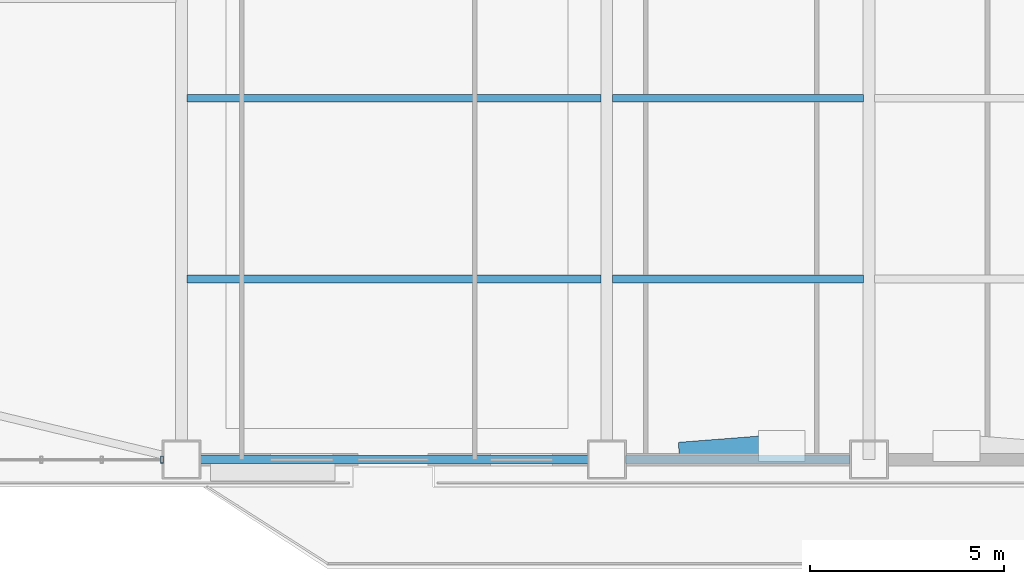
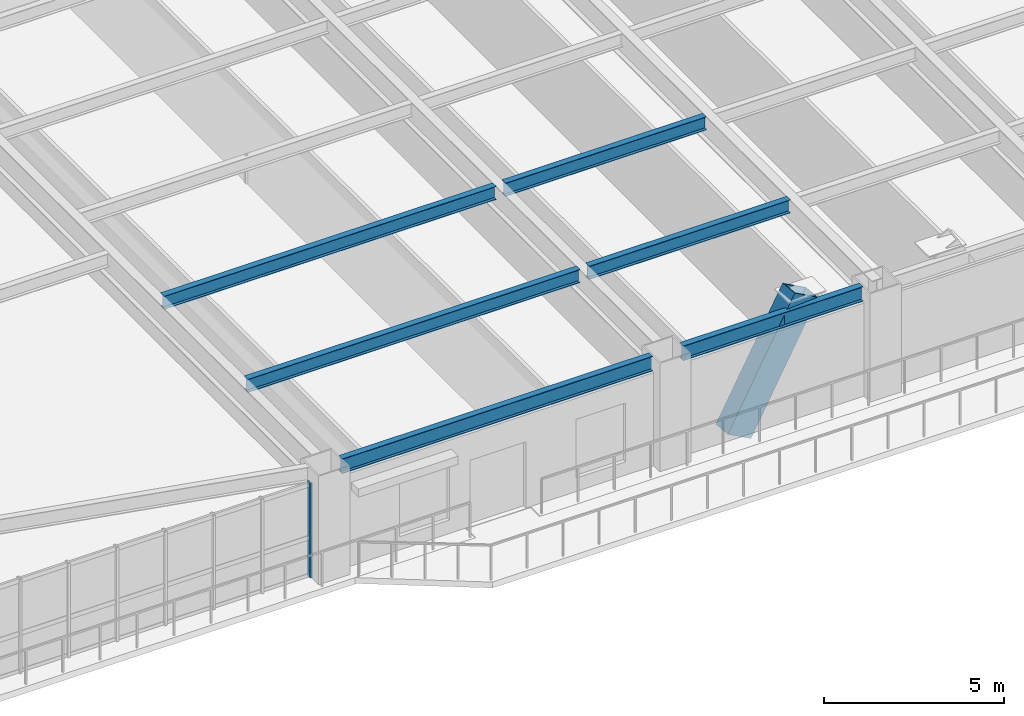
# One storey, part 4 of 18: 6 beams, 2 members, 1 element without a shape of its own.
"""IFC4 building model written with IfcOpenShell, lengths in metres."""

from ifc_helpers import new_model, si_unit, direction, frame, origin, origin_2d, place, context, subcontext, project, spatial, hollow_rectangle, i_section, extrude, source, transform, mapped, material, layer, layer_set, material_profile, profile_set, type_object, element, aggregate, save


model = new_model("IFC4")

# Units and contexts
model_context = context("Model", 3, precision=1e-05, world=origin(), true_north=direction((0.0, 1.0)))
body_context = subcontext(model_context, "Body", "Model", "MODEL_VIEW")
ifc_project = project(units=[si_unit("LENGTHUNIT", "METRE"), si_unit("AREAUNIT", "SQUARE_METRE"), si_unit("VOLUMEUNIT", "CUBIC_METRE"), si_unit("PLANEANGLEUNIT", "RADIAN"), si_unit("MASSUNIT", "GRAM", prefix="KILO")], contexts=[model_context])

# Site, building, storey
site_placement = place(None, origin())
site = spatial("IfcSite", under=ifc_project, at=site_placement, CompositionType="ELEMENT")
building_placement = place(site_placement, origin())
building = spatial("IfcBuilding", under=site, at=building_placement, Name="Giltprow Tower", CompositionType="ELEMENT")
storey_placement = place(building_placement, frame((0.0, 0.0, 65.0)))
storey = spatial("IfcBuildingStorey", under=building, at=storey_placement, Name="L16", CompositionType="ELEMENT", Elevation=65.0)

# Beams
ifc_material_1 = material(Name="Structural steel Q355B", Category="steel")
ifc_material_profile_1 = material_profile(ifc_material_1, i_section(OverallWidth=0.199951171875, OverallDepth=0.449951171875, WebThickness=0.009033203125, FlangeThickness=0.013916015625, at=origin_2d()), Name="HN 450x200x9x14")
ifc_profile_set_1 = profile_set([ifc_material_profile_1], Name="Structural steel Q355B")
beam_type_1 = type_object("IfcBeamType", Name="BM-JOIST-HN450", PredefinedType="JOIST", material=ifc_profile_set_1)
shared_shape_1 = source(origin(), body_context, "Body", "SweptSolid", [
    extrude(i_section(OverallWidth=0.199951171875, OverallDepth=0.449951171875, WebThickness=0.009033203125, FlangeThickness=0.013916015625, at=origin_2d()), origin(), (0.0, 0.0, 1.0), 10.659912109375),
])
for number, where, z_axis, x_axis, name in (
    (1, (19.9951171875, 9.534912109375, 3.455078125), (1.0, 0.0, 0.0), (0.0, 1.0, 0.0), "L16 Composite Floor Joist 1-1"),
    (2, (19.9951171875, 14.18701171875, 3.455078125), (1.0, 0.0, 0.0), (0.0, 1.0, 0.0), "L16 Composite Floor Joist 2-1"),
):
    element("IfcBeam", number, at=place(storey_placement, frame(where, z_axis=z_axis, x_axis=x_axis)), inside=storey, type_object=beam_type_1, Name=name, PredefinedType="JOIST", context=body_context, shape_type="MappedRepresentation", body=[
        mapped(shared_shape_1, transform((0.0, 0.0, 0.0), x_axis=(1.0, 0.0, 0.0), y_axis=(0.0, 1.0, 0.0), z_axis=(0.0, 0.0, 1.0), scale=1.0)),
    ])
shared_shape_2 = source(origin(), body_context, "Body", "SweptSolid", [
    extrude(i_section(OverallWidth=0.199951171875, OverallDepth=0.449951171875, WebThickness=0.009033203125, FlangeThickness=0.013916015625, at=origin_2d()), origin(), (0.0, 0.0, 1.0), 6.4599609375),
])
for number, where, z_axis, x_axis, name in (
    (3, (30.945068359375, 9.534912109375, 3.455078125), (1.0, 0.0, 0.0), (0.0, 1.0, 0.0), "L16 Composite Floor Joist 1-2"),
    (4, (30.945068359375, 14.18701171875, 3.455078125), (1.0, 0.0, 0.0), (0.0, 1.0, 0.0), "L16 Composite Floor Joist 2-2"),
):
    element("IfcBeam", number, at=place(storey_placement, frame(where, z_axis=z_axis, x_axis=x_axis)), inside=storey, type_object=beam_type_1, Name=name, PredefinedType="JOIST", context=body_context, shape_type="MappedRepresentation", body=[
        mapped(shared_shape_2, transform((0.0, 0.0, 0.0), x_axis=(1.0, 0.0, 0.0), y_axis=(0.0, 1.0, 0.0), z_axis=(0.0, 0.0, 1.0), scale=1.0)),
    ])
ifc_material_profile_2 = material_profile(ifc_material_1, i_section(OverallWidth=0.199951171875, OverallDepth=0.5, WebThickness=0.010009765625, FlangeThickness=0.01611328125, at=origin_2d()), Name="HN 500x200x10x16")
ifc_profile_set_2 = profile_set([ifc_material_profile_2], Name="Structural steel Q355B")
beam_type_2 = type_object("IfcBeamType", Name="BM-SPAN-HN500", PredefinedType="SPANDREL", material=ifc_profile_set_2)
shared_shape_3 = source(origin(), body_context, "Body", "SweptSolid", [
    extrude(i_section(OverallWidth=0.199951171875, OverallDepth=0.5, WebThickness=0.010009765625, FlangeThickness=0.01611328125, at=origin_2d()), origin(), (0.0, 0.0, 1.0), 9.97998046875),
])
beam_1_placement = place(storey_placement, frame((20.3349609375, 4.882080078125, 3.429931640625), z_axis=(1.0, 0.0, 0.0), x_axis=(0.0, 1.0, 0.0)))
element("IfcBeam", 5, at=beam_1_placement, inside=storey, type_object=beam_type_2, Name="L16 Perimeter Spandrel Beam S1-S2", PredefinedType="SPANDREL", context=body_context, shape_type="MappedRepresentation", body=[
    mapped(shared_shape_3, transform((0.0, 0.0, 0.0), x_axis=(1.0, 0.0, 0.0), y_axis=(0.0, 1.0, 0.0), z_axis=(0.0, 0.0, 1.0), scale=1.0)),
])
shared_shape_4 = source(origin(), body_context, "Body", "SweptSolid", [
    extrude(i_section(OverallWidth=0.199951171875, OverallDepth=0.5, WebThickness=0.010009765625, FlangeThickness=0.01611328125, at=origin_2d()), origin(), (0.0, 0.0, 1.0), 5.780029296875),
])
beam_2_placement = place(storey_placement, frame((31.284912109375, 4.882080078125, 3.429931640625), z_axis=(1.0, 0.0, 0.0), x_axis=(0.0, 1.0, 0.0)))
element("IfcBeam", 6, at=beam_2_placement, inside=storey, type_object=beam_type_2, Name="L16 Perimeter Spandrel Beam S2-S_MID", PredefinedType="SPANDREL", context=body_context, shape_type="MappedRepresentation", body=[
    mapped(shared_shape_4, transform((0.0, 0.0, 0.0), x_axis=(1.0, 0.0, 0.0), y_axis=(0.0, 1.0, 0.0), z_axis=(0.0, 0.0, 1.0), scale=1.0)),
])

# Member
ifc_material_2 = material(Name="Structural steel Q420GJC", Category="steel")
ifc_material_profile_3 = material_profile(ifc_material_2, hollow_rectangle(XDim=0.60009765625, YDim=0.89990234375, WallThickness=0.0400390625, at=origin_2d()), Name="RHS 900x600x40")
ifc_profile_set_3 = profile_set([ifc_material_profile_3], Name="Structural steel Q420GJC")
member_type_1 = type_object("IfcMemberType", Name="MBR-MEGA-RHS900", PredefinedType="BRACE", material=ifc_profile_set_3)
shared_shape_5 = source(origin(), body_context, "Body", "SweptSolid", [
    extrude(hollow_rectangle(XDim=0.60009765625, YDim=0.89990234375, WallThickness=0.0400390625, at=origin_2d()), origin(), (0.0, 0.0, 1.0), 4.505859375),
])
member_1_placement = place(storey_placement, frame((33.050048828125, 5.05810546875, 0.0), z_axis=(0.49935563087, 0.038795424447, 0.865528086754), x_axis=(-0.077457561353, 0.996995650035, 0.0)))
element("IfcMember", 7, at=member_1_placement, inside=storey, type_object=member_type_1, Name="L16 Chevron Mega-Brace S-L", PredefinedType="BRACE", context=body_context, shape_type="MappedRepresentation", body=[
    mapped(shared_shape_5, transform((0.0, 0.0, 0.0), x_axis=(1.0, 0.0, 0.0), y_axis=(0.0, 1.0, 0.0), z_axis=(0.0, 0.0, 1.0), scale=1.0)),
])

# Curtain wall, member
ifc_material_3 = material(Name="Anodized bronze", Category="metal")
ifc_layer = layer(ifc_material_3, 0.179931640625, Name="Anodized bronze")
ifc_layer_set = layer_set([ifc_layer], Name="Anodized bronze")
curtain_wall_type = type_object("IfcCurtainWallType", Name="CW-OFF-RECESSED", PredefinedType="NOTDEFINED", material=ifc_layer_set)
curtain_wall_placement = place(storey_placement, origin())
curtain_wall = element("IfcCurtainWall", 8, at=curtain_wall_placement, inside=storey, type_object=curtain_wall_type, Name="L16 South Recessed Curtain Wall 1", PredefinedType="NOTDEFINED")
ifc_material_profile_4 = material_profile(ifc_material_3, hollow_rectangle(XDim=0.074951171875, YDim=0.179931640625, WallThickness=0.008056640625, at=origin_2d()), Name="RHS 180x75x8")
ifc_profile_set_4 = profile_set([ifc_material_profile_4], Name="Anodized bronze")
member_type_2 = type_object("IfcMemberType", Name="CW-MULLION-180x75", PredefinedType="MULLION", material=ifc_profile_set_4)
shared_shape_6 = source(origin(), body_context, "Body", "SweptSolid", [
    extrude(hollow_rectangle(XDim=0.074951171875, YDim=0.179931640625, WallThickness=0.008056640625, at=origin_2d()), origin(), (0.0, 0.0, 1.0), 3.215087890625),
])
member_2_placement = place(storey_placement, frame((19.35009765625, 4.882080078125, -0.02001953125), z_axis=(0.0, 0.0, 1.0), x_axis=(1.0, 0.0, 0.0)))
member_2 = element("IfcMember", 9, at=member_2_placement, type_object=member_type_2, Name="L16 South Recessed Curtain Wall 1 Mullion 9", PredefinedType="MULLION", context=body_context, shape_type="MappedRepresentation", body=[
    mapped(shared_shape_6, transform((0.0, 0.0, 0.0), x_axis=(1.0, 0.0, 0.0), y_axis=(0.0, 1.0, 0.0), z_axis=(0.0, 0.0, 1.0), scale=1.0)),
])
aggregate(curtain_wall, [member_2])

save(model, "model.ifc")
